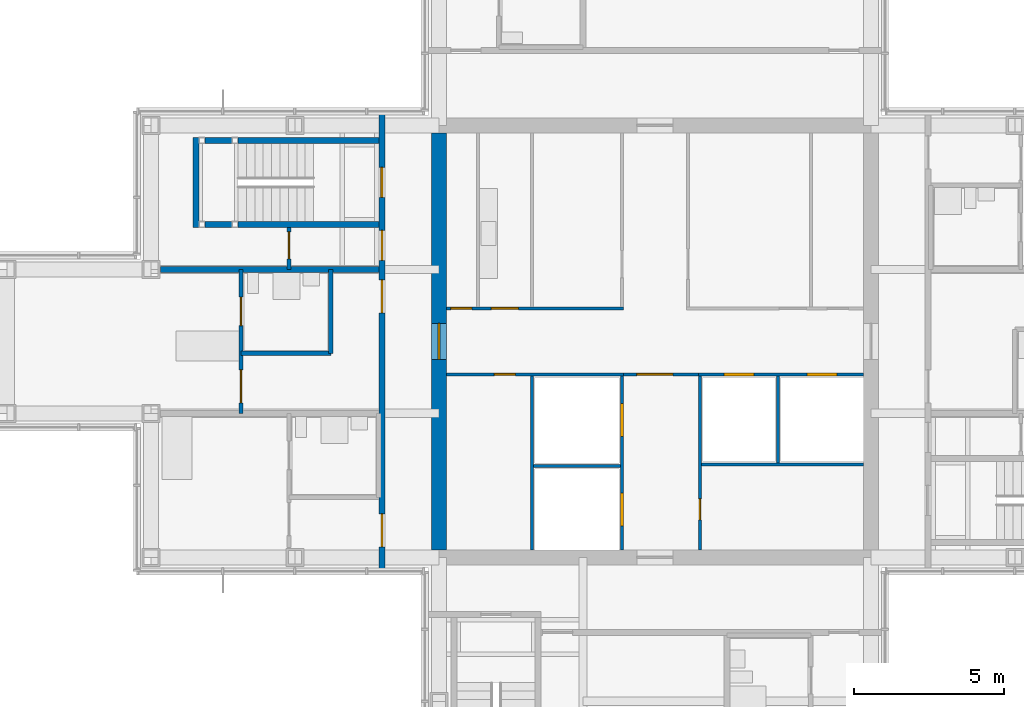
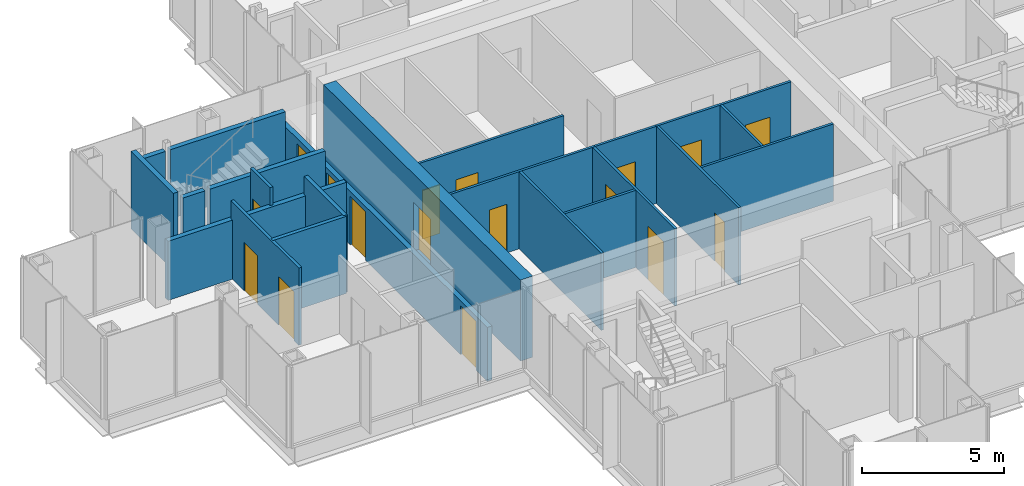
# One storey, part 12 of 17: 22 walls, 17 doors, 17 openings.
"""IFC4 building model written with IfcOpenShell, lengths in metres."""

from ifc_helpers import new_model, si_unit, direction, frame, frame_2d, origin, place, context, subcontext, project, spatial, rectangle, extrude, material, layer, layer_set, type_object, element, fill, save


model = new_model("IFC4")

# Units and contexts
model_context = context("Model", 3, precision=1e-05, world=origin(), true_north=direction((0.0, 1.0)))
body_context = subcontext(model_context, "Body", "Model", "MODEL_VIEW")
ifc_project = project(units=[si_unit("LENGTHUNIT", "METRE"), si_unit("AREAUNIT", "SQUARE_METRE"), si_unit("VOLUMEUNIT", "CUBIC_METRE"), si_unit("PLANEANGLEUNIT", "RADIAN"), si_unit("MASSUNIT", "GRAM", prefix="KILO")], contexts=[model_context])

# Site, building, storey
site_placement = place(None, origin())
site = spatial("IfcSite", under=ifc_project, at=site_placement, CompositionType="ELEMENT")
building_placement = place(site_placement, origin())
building = spatial("IfcBuilding", under=site, at=building_placement, Name="Kvirike Care Tower", CompositionType="ELEMENT")
storey_placement = place(building_placement, frame((0.0, 0.0, 165.5)))
storey = spatial("IfcBuildingStorey", under=building, at=storey_placement, Name="L45", CompositionType="ELEMENT", Elevation=165.5)

# Walls
ifc_material_1 = material(Name="Moisture-resistant board partition", Category="gypsum")
ifc_layer_1 = layer(ifc_material_1, 0.14990234375)
ifc_layer_set_1 = layer_set([ifc_layer_1], Name="BATHROOM WALL 150")
wall_type_1 = type_object("IfcWallType", Name="BATHROOM WALL 150", PredefinedType="PARTITIONING", material=ifc_layer_set_1)
wall_1_placement = place(storey_placement, frame((7.800048828125, 35.60009765625, 0.0), z_axis=(0.0, 0.0, 1.0), x_axis=(1.0, 0.0, 0.0)))
element("IfcWall", 1, at=wall_1_placement, inside=storey, type_object=wall_type_1, Name="Bathroom Wall 150 L45", PredefinedType="PARTITIONING", context=body_context, shape_type="SweptSolid", body=[
    extrude(rectangle(XDim=3.0, YDim=0.14990234375, at=frame_2d((1.5, 0.0))), origin(), (0.0, 0.0, 1.0), 3.330078125),
])
wall_2_placement = place(storey_placement, frame((10.800048828125, 38.39990234375, 0.0), z_axis=(0.0, 0.0, 1.0), x_axis=(0.0, -1.0, 0.0)))
element("IfcWall", 2, at=wall_2_placement, inside=storey, type_object=wall_type_1, Name="Bathroom Wall 150 L45", PredefinedType="PARTITIONING", context=body_context, shape_type="SweptSolid", body=[
    extrude(rectangle(XDim=2.7998046875, YDim=0.14990234375, at=frame_2d((1.39990234375, 0.0))), origin(), (0.0, 0.0, 1.0), 3.330078125),
])

# Wall, opening, door
ifc_material_2 = material(Name="Concrete C45/55", Category="concrete")
ifc_layer_2 = layer(ifc_material_2, 0.5)
ifc_layer_set_2 = layer_set([ifc_layer_2], Name="CORE WALL 500 C45-55")
wall_type_2 = type_object("IfcWallType", Name="CORE WALL 500 C45-55", PredefinedType="SHEAR", material=ifc_layer_set_2)
wall_3_placement = place(storey_placement, frame((14.39990234375, 42.949951171875, -0.169921875), z_axis=(0.0, 0.0, 1.0), x_axis=(0.0, -1.0, 0.0)))
wall_3 = element("IfcWall", 3, at=wall_3_placement, inside=storey, type_object=wall_type_2, Name="Core wall W L45", PredefinedType="SHEAR", context=body_context, shape_type="SweptSolid", body=[
    extrude(rectangle(XDim=13.89990234375, YDim=0.5, at=frame_2d((6.949951171875, 0.0))), origin(), (0.0, 0.0, 1.0), 3.5),
])
opening_1_placement = place(wall_3_placement, frame((6.35009765625, 0.0, 0.169921875)))
opening_1 = element("IfcOpeningElement", 4, at=opening_1_placement, cuts=wall_3, Name="Opening 45-046", PredefinedType="OPENING", context=body_context, shape_type="SweptSolid", body=[
    extrude(rectangle(XDim=1.199951171875, YDim=2.10009765625, at=frame_2d((0.60009765625, 1.050048828125))), frame((0.0, 0.260498046875, 0.0), z_axis=(0.0, -1.0, 0.0), x_axis=(1.0, 0.0, 0.0)), (0.0, 0.0, 1.0), 0.52099609375),
])
ifc_material_3 = material(Name="Timber door set", Category="wood")
door_type_1 = type_object("IfcDoorType", Name="CORE DOOR 1200", OperationType="SINGLE_SWING_LEFT", PredefinedType="DOOR", material=ifc_material_3)
door_1_placement = place(opening_1_placement, origin())
door_1 = element("IfcDoor", 5, at=door_1_placement, inside=storey, type_object=door_type_1, Name="Core door W L45", OperationType="SINGLE_SWING_LEFT", OverallHeight=2.10009765625, OverallWidth=1.199951171875, PredefinedType="DOOR", context=body_context, shape_type="SweptSolid", body=[
    extrude(rectangle(XDim=1.199951171875, YDim=2.10009765625, at=frame_2d((0.60009765625, 1.050048828125))), frame((0.0, 0.02685546875, 0.0), z_axis=(0.0, -1.0, 0.0), x_axis=(1.0, 0.0, 0.0)), (0.0, 0.0, 1.0), 0.053955078125),
])
fill(opening_1, door_1)

# Wall, openings, doors
ifc_material_4 = material(Name="Plasterboard corridor wall", Category="gypsum")
ifc_layer_3 = layer(ifc_material_4, 0.199951171875)
ifc_layer_set_3 = layer_set([ifc_layer_3], Name="CORRIDOR WALL 200")
wall_type_3 = type_object("IfcWallType", Name="CORRIDOR WALL 200", PredefinedType="PARTITIONING", material=ifc_layer_set_3)
wall_4_placement = place(storey_placement, frame((12.5, 43.64990234375, 0.0), z_axis=(0.0, 0.0, 1.0), x_axis=(0.0, -1.0, 0.0)))
wall_4 = element("IfcWall", 6, at=wall_4_placement, inside=storey, type_object=wall_type_3, Name="Corridor Wall 200 L45", PredefinedType="PARTITIONING", context=body_context, shape_type="SweptSolid", body=[
    extrude(rectangle(XDim=15.2998046875, YDim=0.199951171875, at=frame_2d((7.64990234375, 0.0))), origin(), (0.0, 0.0, 1.0), 2.320068359375),
])
opening_2_placement = place(wall_4_placement, frame((1.85009765625, 0.0, 0.0)))
opening_2 = element("IfcOpeningElement", 7, at=opening_2_placement, cuts=wall_4, Name="Opening 45-006", PredefinedType="OPENING", context=body_context, shape_type="SweptSolid", body=[
    extrude(rectangle(XDim=1.0, YDim=2.10009765625, at=frame_2d((0.5, 1.050048828125))), frame((0.0, 0.110595703125, 0.0), z_axis=(0.0, -1.0, 0.0), x_axis=(1.0, 0.0, 0.0)), (0.0, 0.0, 1.0), 0.220947265625),
])
opening_3_placement = place(wall_4_placement, frame((3.949951171875, 0.0, 0.0)))
opening_3 = element("IfcOpeningElement", 8, at=opening_3_placement, cuts=wall_4, Name="Opening 45-007", PredefinedType="OPENING", context=body_context, shape_type="SweptSolid", body=[
    extrude(rectangle(XDim=1.0, YDim=2.10009765625, at=frame_2d((0.5, 1.050048828125))), frame((0.0, 0.110595703125, 0.0), z_axis=(0.0, -1.0, 0.0), x_axis=(1.0, 0.0, 0.0)), (0.0, 0.0, 1.0), 0.220947265625),
])
opening_4_placement = place(wall_4_placement, frame((5.60009765625, 0.0, 0.0)))
opening_4 = element("IfcOpeningElement", 9, at=opening_4_placement, cuts=wall_4, Name="Opening 45-008", PredefinedType="OPENING", context=body_context, shape_type="SweptSolid", body=[
    extrude(rectangle(XDim=1.10009765625, YDim=2.10009765625, at=frame_2d((0.550048828125, 1.050048828125))), frame((0.0, 0.110595703125, 0.0), z_axis=(0.0, -1.0, 0.0), x_axis=(1.0, 0.0, 0.0)), (0.0, 0.0, 1.0), 0.220947265625),
])
opening_5_placement = place(wall_4_placement, frame((13.39990234375, 0.0, 0.0)))
opening_5 = element("IfcOpeningElement", 10, at=opening_5_placement, cuts=wall_4, Name="Opening 45-009", PredefinedType="OPENING", context=body_context, shape_type="SweptSolid", body=[
    extrude(rectangle(XDim=1.10009765625, YDim=2.10009765625, at=frame_2d((0.550048828125, 1.050048828125))), frame((0.0, 0.110595703125, 0.0), z_axis=(0.0, -1.0, 0.0), x_axis=(1.0, 0.0, 0.0)), (0.0, 0.0, 1.0), 0.220947265625),
])
ifc_material_5 = material(Name="Timber door set", Category="wood")
door_type_2 = type_object("IfcDoorType", Name="BEDROOM ENTRANCE DOOR 1100", OperationType="SINGLE_SWING_LEFT", PredefinedType="DOOR", material=ifc_material_5)
door_2_placement = place(opening_4_placement, frame((1.10009765625, 0.0, 0.0), z_axis=(0.0, 0.0, 1.0), x_axis=(-1.0, 0.0, 0.0)))
door_2 = element("IfcDoor", 11, at=door_2_placement, inside=storey, type_object=door_type_2, Name="Memory care bedroom entrance", OperationType="SINGLE_SWING_LEFT", OverallHeight=2.10009765625, OverallWidth=1.10009765625, PredefinedType="DOOR", context=body_context, shape_type="SweptSolid", body=[
    extrude(rectangle(XDim=1.10009765625, YDim=2.10009765625, at=frame_2d((0.550048828125, 1.050048828125))), frame((0.0, 0.02685546875, 0.0), z_axis=(0.0, -1.0, 0.0), x_axis=(1.0, 0.0, 0.0)), (0.0, 0.0, 1.0), 0.053955078125),
])
fill(opening_4, door_2)
door_3_placement = place(opening_5_placement, frame((1.10009765625, 0.0, 0.0), z_axis=(0.0, 0.0, 1.0), x_axis=(-1.0, 0.0, 0.0)))
door_3 = element("IfcDoor", 12, at=door_3_placement, inside=storey, type_object=door_type_2, Name="Memory care bedroom entrance", OperationType="SINGLE_SWING_RIGHT", OverallHeight=2.10009765625, OverallWidth=1.10009765625, PredefinedType="DOOR", context=body_context, shape_type="SweptSolid", body=[
    extrude(rectangle(XDim=1.10009765625, YDim=2.10009765625, at=frame_2d((0.550048828125, 1.050048828125))), frame((0.0, 0.02685546875, 0.0), z_axis=(0.0, -1.0, 0.0), x_axis=(1.0, 0.0, 0.0)), (0.0, 0.0, 1.0), 0.053955078125),
])
fill(opening_5, door_3)
ifc_material_6 = material(Name="Timber door set", Category="wood")
door_type_3 = type_object("IfcDoorType", Name="FLAT ENTRANCE DOOR 1000", OperationType="SINGLE_SWING_LEFT", PredefinedType="DOOR", material=ifc_material_6)
door_4_placement = place(opening_3_placement, frame((1.0, 0.0, 0.0), z_axis=(0.0, 0.0, 1.0), x_axis=(-1.0, 0.0, 0.0)))
door_4 = element("IfcDoor", 13, at=door_4_placement, inside=storey, type_object=door_type_3, Name="Activity room entrance", OperationType="SINGLE_SWING_LEFT", OverallHeight=2.10009765625, OverallWidth=1.0, PredefinedType="DOOR", context=body_context, shape_type="SweptSolid", body=[
    extrude(rectangle(XDim=1.0, YDim=2.10009765625, at=frame_2d((0.5, 1.050048828125))), frame((0.0, 0.02685546875, 0.0), z_axis=(0.0, -1.0, 0.0), x_axis=(1.0, 0.0, 0.0)), (0.0, 0.0, 1.0), 0.053955078125),
])
fill(opening_3, door_4)
ifc_material_7 = material(Name="Timber door set", Category="wood")
door_type_4 = type_object("IfcDoorType", Name="STAIR DOOR 1000", OperationType="SINGLE_SWING_LEFT", PredefinedType="DOOR", material=ifc_material_7)
door_5_placement = place(opening_2_placement, frame((1.0, 0.0, 0.0), z_axis=(0.0, 0.0, 1.0), x_axis=(-1.0, 0.0, 0.0)))
door_5 = element("IfcDoor", 14, at=door_5_placement, inside=storey, type_object=door_type_4, Name="Stair 1 door", OperationType="SINGLE_SWING_RIGHT", OverallHeight=2.10009765625, OverallWidth=1.0, PredefinedType="DOOR", context=body_context, shape_type="SweptSolid", body=[
    extrude(rectangle(XDim=1.0, YDim=2.10009765625, at=frame_2d((0.5, 1.050048828125))), frame((0.0, 0.031982421875, 0.0), z_axis=(0.0, -1.0, 0.0), x_axis=(1.0, 0.0, 0.0)), (0.0, 0.0, 1.0), 0.06396484375),
])
fill(opening_2, door_5)

# Wall, opening, door
ifc_material_8 = material(Name="Plasterboard partition", Category="gypsum")
ifc_layer_4 = layer(ifc_material_8, 0.1201171875)
ifc_layer_set_4 = layer_set([ifc_layer_4], Name="PARTITION 120")
wall_type_4 = type_object("IfcWallType", Name="PARTITION 120", PredefinedType="PARTITIONING", material=ifc_layer_set_4)
wall_5_placement = place(storey_placement, frame((9.39990234375, 39.800048828125, 0.0), z_axis=(0.0, 0.0, 1.0), x_axis=(0.0, -1.0, 0.0)))
wall_5 = element("IfcWall", 15, at=wall_5_placement, inside=storey, type_object=wall_type_4, Name="Partition 120 L45", PredefinedType="PARTITIONING", context=body_context, shape_type="SweptSolid", body=[
    extrude(rectangle(XDim=1.400146484375, YDim=0.1201171875, at=frame_2d((0.7001953125, 0.0))), origin(), (0.0, 0.0, 1.0), 3.330078125),
])
opening_6_placement = place(wall_5_placement, frame((0.14990234375, 0.0, 0.0)))
opening_6 = element("IfcOpeningElement", 16, at=opening_6_placement, cuts=wall_5, Name="Opening 45-001", PredefinedType="OPENING", context=body_context, shape_type="SweptSolid", body=[
    extrude(rectangle(XDim=0.89990234375, YDim=2.10009765625, at=frame_2d((0.449951171875, 1.050048828125))), frame((0.0, 0.070556640625, 0.0), z_axis=(0.0, -1.0, 0.0), x_axis=(1.0, 0.0, 0.0)), (0.0, 0.0, 1.0), 0.14111328125),
])
ifc_material_9 = material(Name="Timber door set", Category="wood")
door_type_5 = type_object("IfcDoorType", Name="INTERNAL DOOR 900", OperationType="SINGLE_SWING_LEFT", PredefinedType="DOOR", material=ifc_material_9)
door_6_placement = place(opening_6_placement, origin())
door_6 = element("IfcDoor", 17, at=door_6_placement, inside=storey, type_object=door_type_5, Name="Activity room door", OperationType="SINGLE_SWING_RIGHT", OverallHeight=2.10009765625, OverallWidth=0.89990234375, PredefinedType="DOOR", context=body_context, shape_type="SweptSolid", body=[
    extrude(rectangle(XDim=0.89990234375, YDim=2.10009765625, at=frame_2d((0.449951171875, 1.050048828125))), frame((0.0, 0.02197265625, 0.0), z_axis=(0.0, -1.0, 0.0), x_axis=(1.0, 0.0, 0.0)), (0.0, 0.0, 1.0), 0.0439453125),
])
fill(opening_6, door_6)

# Wall, openings, doors
wall_6_placement = place(storey_placement, frame((7.800048828125, 38.39990234375, 0.0), z_axis=(0.0, 0.0, 1.0), x_axis=(0.0, -1.0, 0.0)))
wall_6 = element("IfcWall", 18, at=wall_6_placement, inside=storey, type_object=wall_type_4, Name="Partition 120 L45", PredefinedType="PARTITIONING", context=body_context, shape_type="SweptSolid", body=[
    extrude(rectangle(XDim=4.7998046875, YDim=0.1201171875, at=frame_2d((2.39990234375, 0.0))), origin(), (0.0, 0.0, 1.0), 3.330078125),
])
opening_7_placement = place(wall_6_placement, frame((3.35009765625, 0.0, 0.0)))
opening_7 = element("IfcOpeningElement", 19, at=opening_7_placement, cuts=wall_6, Name="Opening 45-002", PredefinedType="OPENING", context=body_context, shape_type="SweptSolid", body=[
    extrude(rectangle(XDim=1.10009765625, YDim=2.10009765625, at=frame_2d((0.550048828125, 1.050048828125))), frame((0.0, 0.070556640625, 0.0), z_axis=(0.0, -1.0, 0.0), x_axis=(1.0, 0.0, 0.0)), (0.0, 0.0, 1.0), 0.14111328125),
])
opening_8_placement = place(wall_6_placement, frame((0.925048828125, 0.0, 0.0)))
opening_8 = element("IfcOpeningElement", 20, at=opening_8_placement, cuts=wall_6, Name="Opening 45-003", PredefinedType="OPENING", context=body_context, shape_type="SweptSolid", body=[
    extrude(rectangle(XDim=0.949951171875, YDim=2.10009765625, at=frame_2d((0.47509765625, 1.050048828125))), frame((0.0, 0.070556640625, 0.0), z_axis=(0.0, -1.0, 0.0), x_axis=(1.0, 0.0, 0.0)), (0.0, 0.0, 1.0), 0.14111328125),
])
ifc_material_10 = material(Name="Timber door set", Category="wood")
door_type_6 = type_object("IfcDoorType", Name="BEDROOM DOOR 1100", OperationType="SINGLE_SWING_LEFT", PredefinedType="DOOR", material=ifc_material_10)
door_7_placement = place(opening_7_placement, origin())
door_7 = element("IfcDoor", 21, at=door_7_placement, inside=storey, type_object=door_type_6, Name="Memory care bedroom door", OperationType="SINGLE_SWING_LEFT", OverallHeight=2.10009765625, OverallWidth=1.10009765625, PredefinedType="DOOR", context=body_context, shape_type="SweptSolid", body=[
    extrude(rectangle(XDim=1.10009765625, YDim=2.10009765625, at=frame_2d((0.550048828125, 1.050048828125))), frame((0.0, 0.02197265625, 0.0), z_axis=(0.0, -1.0, 0.0), x_axis=(1.0, 0.0, 0.0)), (0.0, 0.0, 1.0), 0.0439453125),
])
fill(opening_7, door_7)
ifc_material_11 = material(Name="Timber door set", Category="wood")
door_type_7 = type_object("IfcDoorType", Name="EN-SUITE SLIDING DOOR 950", OperationType="SLIDING_TO_LEFT", PredefinedType="DOOR", material=ifc_material_11)
door_8_placement = place(opening_8_placement, origin())
door_8 = element("IfcDoor", 22, at=door_8_placement, inside=storey, type_object=door_type_7, Name="En-suite door", OperationType="SLIDING_TO_RIGHT", OverallHeight=2.10009765625, OverallWidth=0.949951171875, PredefinedType="DOOR", context=body_context, shape_type="SweptSolid", body=[
    extrude(rectangle(XDim=0.949951171875, YDim=2.10009765625, at=frame_2d((0.47509765625, 1.050048828125))), frame((0.0, 0.02197265625, 0.0), z_axis=(0.0, -1.0, 0.0), x_axis=(1.0, 0.0, 0.0)), (0.0, 0.0, 1.0), 0.0439453125),
])
fill(opening_8, door_8)

# Wall
ifc_material_12 = material(Name="Plasterboard party wall", Category="gypsum")
ifc_layer_5 = layer(ifc_material_12, 0.199951171875)
ifc_layer_set_5 = layer_set([ifc_layer_5], Name="PARTY WALL 200")
wall_type_5 = type_object("IfcWallType", Name="PARTY WALL 200", PredefinedType="PARTITIONING", material=ifc_layer_set_5)
wall_7_placement = place(storey_placement, frame((5.1201171875, 38.39990234375, 0.0), z_axis=(0.0, 0.0, 1.0), x_axis=(1.0, 0.0, 0.0)))
element("IfcWall", 23, at=wall_7_placement, inside=storey, type_object=wall_type_5, Name="Party Wall 200 L45", PredefinedType="PARTITIONING", context=body_context, shape_type="SweptSolid", body=[
    extrude(rectangle(XDim=7.27978515625, YDim=0.199951171875, at=frame_2d((3.639892578125, 0.0))), origin(), (0.0, 0.0, 1.0), 2.550048828125),
])

# Wall, openings, doors
ifc_material_13 = material(Name="Gypsum shaft wall system", Category="gypsum")
ifc_layer_6 = layer(ifc_material_13, 0.10009765625)
ifc_layer_set_6 = layer_set([ifc_layer_6], Name="SHAFT WALL 100")
wall_type_6 = type_object("IfcWallType", Name="SHAFT WALL 100", PredefinedType="SOLIDWALL", material=ifc_layer_set_6)
wall_8_placement = place(storey_placement, frame((20.5, 29.050048828125, 0.0), z_axis=(0.0, 0.0, 1.0), x_axis=(0.0, 1.0, 0.0)))
wall_8 = element("IfcWall", 24, at=wall_8_placement, inside=storey, type_object=wall_type_6, Name="Shaft Wall 100 L45", PredefinedType="SOLIDWALL", context=body_context, shape_type="SweptSolid", body=[
    extrude(rectangle(XDim=5.800048828125, YDim=0.10009765625, at=frame_2d((2.89990234375, 0.0))), origin(), (0.0, 0.0, 1.0), 3.330078125),
])
opening_9_placement = place(wall_8_placement, frame((0.800048828125, 0.0, 0.0)))
opening_9 = element("IfcOpeningElement", 25, at=opening_9_placement, cuts=wall_8, Name="Opening 45-032", PredefinedType="OPENING", context=body_context, shape_type="SweptSolid", body=[
    extrude(rectangle(XDim=1.10009765625, YDim=2.300048828125, at=frame_2d((0.550048828125, 1.14990234375))), frame((0.0, 0.060546875, 0.0), z_axis=(0.0, -1.0, 0.0), x_axis=(1.0, 0.0, 0.0)), (0.0, 0.0, 1.0), 0.12109375),
])
opening_10_placement = place(wall_8_placement, frame((3.77490234375, 0.0, 0.0)))
opening_10 = element("IfcOpeningElement", 26, at=opening_10_placement, cuts=wall_8, Name="Opening 45-033", PredefinedType="OPENING", context=body_context, shape_type="SweptSolid", body=[
    extrude(rectangle(XDim=1.10009765625, YDim=2.300048828125, at=frame_2d((0.550048828125, 1.14990234375))), frame((0.0, 0.060546875, 0.0), z_axis=(0.0, -1.0, 0.0), x_axis=(1.0, 0.0, 0.0)), (0.0, 0.0, 1.0), 0.12109375),
])
ifc_material_14 = material(Name="Aluminium door frame", Category="aluminium")
door_type_8 = type_object("IfcDoorType", Name="FIRE-FIGHTING LIFT LANDING DOOR 1100", OperationType="SLIDING_TO_LEFT", PredefinedType="DOOR", material=ifc_material_14)
door_9_placement = place(opening_9_placement, origin())
door_9 = element("IfcDoor", 27, at=door_9_placement, inside=storey, type_object=door_type_8, Name="Lift FF1 landing door", OperationType="SLIDING_TO_LEFT", OverallHeight=2.300048828125, OverallWidth=1.10009765625, PredefinedType="DOOR", context=body_context, shape_type="SweptSolid", body=[
    extrude(rectangle(XDim=1.10009765625, YDim=2.300048828125, at=frame_2d((0.550048828125, 1.14990234375))), frame((0.0, 0.0498046875, 0.0), z_axis=(0.0, -1.0, 0.0), x_axis=(1.0, 0.0, 0.0)), (0.0, 0.0, 1.0), 0.099609375),
])
fill(opening_9, door_9)
door_10_placement = place(opening_10_placement, origin())
door_10 = element("IfcDoor", 28, at=door_10_placement, inside=storey, type_object=door_type_8, Name="Lift FF2 landing door", OperationType="SLIDING_TO_LEFT", OverallHeight=2.300048828125, OverallWidth=1.10009765625, PredefinedType="DOOR", context=body_context, shape_type="SweptSolid", body=[
    extrude(rectangle(XDim=1.10009765625, YDim=2.300048828125, at=frame_2d((0.550048828125, 1.14990234375))), frame((0.0, 0.0498046875, 0.0), z_axis=(0.0, -1.0, 0.0), x_axis=(1.0, 0.0, 0.0)), (0.0, 0.0, 1.0), 0.099609375),
])
fill(opening_10, door_10)

# Wall, opening, door
wall_9_placement = place(storey_placement, frame((23.10009765625, 29.050048828125, 0.0), z_axis=(0.0, 0.0, 1.0), x_axis=(0.0, 1.0, 0.0)))
wall_9 = element("IfcWall", 29, at=wall_9_placement, inside=storey, type_object=wall_type_6, Name="Shaft Wall 100 L45", PredefinedType="SOLIDWALL", context=body_context, shape_type="SweptSolid", body=[
    extrude(rectangle(XDim=5.800048828125, YDim=0.10009765625, at=frame_2d((2.89990234375, 0.0))), origin(), (0.0, 0.0, 1.0), 3.330078125),
])
opening_11_placement = place(wall_9_placement, frame((1.0, 0.0, 0.0)))
opening_11 = element("IfcOpeningElement", 30, at=opening_11_placement, cuts=wall_9, Name="Opening 45-036", PredefinedType="OPENING", context=body_context, shape_type="SweptSolid", body=[
    extrude(rectangle(XDim=0.699951171875, YDim=2.10009765625, at=frame_2d((0.35009765625, 1.050048828125))), frame((0.0, 0.060546875, 0.0), z_axis=(0.0, -1.0, 0.0), x_axis=(1.0, 0.0, 0.0)), (0.0, 0.0, 1.0), 0.12109375),
])
ifc_material_15 = material(Name="Timber door set", Category="wood")
door_type_9 = type_object("IfcDoorType", Name="RISER DOOR 700", OperationType="SINGLE_SWING_LEFT", PredefinedType="DOOR", material=ifc_material_15)
door_11_placement = place(opening_11_placement, origin())
door_11 = element("IfcDoor", 31, at=door_11_placement, inside=storey, type_object=door_type_9, Name="Riser door", OperationType="SINGLE_SWING_RIGHT", OverallHeight=2.10009765625, OverallWidth=0.699951171875, PredefinedType="DOOR", context=body_context, shape_type="SweptSolid", body=[
    extrude(rectangle(XDim=0.699951171875, YDim=2.10009765625, at=frame_2d((0.35009765625, 1.050048828125))), frame((0.0, 0.02685546875, 0.0), z_axis=(0.0, -1.0, 0.0), x_axis=(1.0, 0.0, 0.0)), (0.0, 0.0, 1.0), 0.053955078125),
])
fill(opening_11, door_11)

wall_10_placement = place(storey_placement, frame((14.64990234375, 34.89990234375, 0.0), z_axis=(0.0, 0.0, 1.0), x_axis=(1.0, 0.0, 0.0)))
wall_10 = element("IfcWall", 32, at=wall_10_placement, inside=storey, type_object=wall_type_6, Name="Shaft Wall 100 L45", PredefinedType="SOLIDWALL", context=body_context, shape_type="SweptSolid", body=[
    extrude(rectangle(XDim=5.900146484375, YDim=0.10009765625, at=frame_2d((2.9501953125, 0.0))), origin(), (0.0, 0.0, 1.0), 3.330078125),
])
opening_12_placement = place(wall_10_placement, frame((1.60009765625, 0.0, 0.0)))
opening_12 = element("IfcOpeningElement", 33, at=opening_12_placement, cuts=wall_10, Name="Opening 45-037", PredefinedType="OPENING", context=body_context, shape_type="SweptSolid", body=[
    extrude(rectangle(XDim=0.699951171875, YDim=2.10009765625, at=frame_2d((0.35009765625, 1.050048828125))), frame((0.0, 0.060546875, 0.0), z_axis=(0.0, -1.0, 0.0), x_axis=(1.0, 0.0, 0.0)), (0.0, 0.0, 1.0), 0.12109375),
])
door_12_placement = place(opening_12_placement, frame((0.699951171875, 0.0, 0.0), z_axis=(0.0, 0.0, 1.0), x_axis=(-1.0, 0.0, 0.0)))
door_12 = element("IfcDoor", 34, at=door_12_placement, inside=storey, type_object=door_type_9, Name="Riser door", OperationType="SINGLE_SWING_RIGHT", OverallHeight=2.10009765625, OverallWidth=0.699951171875, PredefinedType="DOOR", context=body_context, shape_type="SweptSolid", body=[
    extrude(rectangle(XDim=0.699951171875, YDim=2.10009765625, at=frame_2d((0.35009765625, 1.050048828125))), frame((0.0, 0.02685546875, 0.0), z_axis=(0.0, -1.0, 0.0), x_axis=(1.0, 0.0, 0.0)), (0.0, 0.0, 1.0), 0.053955078125),
])
fill(opening_12, door_12)

# Wall, openings, doors
wall_11_placement = place(storey_placement, frame((23.050048828125, 34.89990234375, 0.0), z_axis=(0.0, 0.0, 1.0), x_axis=(1.0, 0.0, 0.0)))
wall_11 = element("IfcWall", 35, at=wall_11_placement, inside=storey, type_object=wall_type_6, Name="Shaft Wall 100 L45", PredefinedType="SOLIDWALL", context=body_context, shape_type="SweptSolid", body=[
    extrude(rectangle(XDim=5.5, YDim=0.10009765625, at=frame_2d((2.75, 0.0))), origin(), (0.0, 0.0, 1.0), 3.330078125),
])
opening_13_placement = place(wall_11_placement, frame((0.85009765625, 0.0, 0.0)))
opening_13 = element("IfcOpeningElement", 36, at=opening_13_placement, cuts=wall_11, Name="Opening 45-038", PredefinedType="OPENING", context=body_context, shape_type="SweptSolid", body=[
    extrude(rectangle(XDim=1.0, YDim=2.10009765625, at=frame_2d((0.5, 1.050048828125))), frame((0.0, 0.060546875, 0.0), z_axis=(0.0, -1.0, 0.0), x_axis=(1.0, 0.0, 0.0)), (0.0, 0.0, 1.0), 0.12109375),
])
opening_14_placement = place(wall_11_placement, frame((3.625, 0.0, 0.0)))
opening_14 = element("IfcOpeningElement", 37, at=opening_14_placement, cuts=wall_11, Name="Opening 45-039", PredefinedType="OPENING", context=body_context, shape_type="SweptSolid", body=[
    extrude(rectangle(XDim=1.0, YDim=2.10009765625, at=frame_2d((0.5, 1.050048828125))), frame((0.0, 0.060546875, 0.0), z_axis=(0.0, -1.0, 0.0), x_axis=(1.0, 0.0, 0.0)), (0.0, 0.0, 1.0), 0.12109375),
])
ifc_material_16 = material(Name="Aluminium door frame", Category="aluminium")
door_type_10 = type_object("IfcDoorType", Name="LIFT LANDING DOOR 1000", OperationType="SLIDING_TO_LEFT", PredefinedType="DOOR", material=ifc_material_16)
door_13_placement = place(opening_13_placement, origin())
door_13 = element("IfcDoor", 38, at=door_13_placement, inside=storey, type_object=door_type_10, Name="Lift P5 landing door", OperationType="SLIDING_TO_LEFT", OverallHeight=2.10009765625, OverallWidth=1.0, PredefinedType="DOOR", context=body_context, shape_type="SweptSolid", body=[
    extrude(rectangle(XDim=1.0, YDim=2.10009765625, at=frame_2d((0.5, 1.050048828125))), frame((0.0, 0.0498046875, 0.0), z_axis=(0.0, -1.0, 0.0), x_axis=(1.0, 0.0, 0.0)), (0.0, 0.0, 1.0), 0.099609375),
])
fill(opening_13, door_13)
door_14_placement = place(opening_14_placement, origin())
door_14 = element("IfcDoor", 39, at=door_14_placement, inside=storey, type_object=door_type_10, Name="Lift P6 landing door", OperationType="SLIDING_TO_LEFT", OverallHeight=2.10009765625, OverallWidth=1.0, PredefinedType="DOOR", context=body_context, shape_type="SweptSolid", body=[
    extrude(rectangle(XDim=1.0, YDim=2.10009765625, at=frame_2d((0.5, 1.050048828125))), frame((0.0, 0.0498046875, 0.0), z_axis=(0.0, -1.0, 0.0), x_axis=(1.0, 0.0, 0.0)), (0.0, 0.0, 1.0), 0.099609375),
])
fill(opening_14, door_14)

wall_12_placement = place(storey_placement, frame((14.64990234375, 37.10009765625, 0.0), z_axis=(0.0, 0.0, 1.0), x_axis=(1.0, 0.0, 0.0)))
wall_12 = element("IfcWall", 40, at=wall_12_placement, inside=storey, type_object=wall_type_6, Name="Shaft Wall 100 L45", PredefinedType="SOLIDWALL", context=body_context, shape_type="SweptSolid", body=[
    extrude(rectangle(XDim=5.900146484375, YDim=0.10009765625, at=frame_2d((2.9501953125, 0.0))), origin(), (0.0, 0.0, 1.0), 3.330078125),
])
opening_15_placement = place(wall_12_placement, frame((0.14990234375, 0.0, 0.0)))
opening_15 = element("IfcOpeningElement", 41, at=opening_15_placement, cuts=wall_12, Name="Opening 45-040", PredefinedType="OPENING", context=body_context, shape_type="SweptSolid", body=[
    extrude(rectangle(XDim=0.699951171875, YDim=2.10009765625, at=frame_2d((0.35009765625, 1.050048828125))), frame((0.0, 0.060546875, 0.0), z_axis=(0.0, -1.0, 0.0), x_axis=(1.0, 0.0, 0.0)), (0.0, 0.0, 1.0), 0.12109375),
])
opening_16_placement = place(wall_12_placement, frame((1.5, 0.0, 0.0)))
opening_16 = element("IfcOpeningElement", 42, at=opening_16_placement, cuts=wall_12, Name="Opening 45-041", PredefinedType="OPENING", context=body_context, shape_type="SweptSolid", body=[
    extrude(rectangle(XDim=0.89990234375, YDim=2.10009765625, at=frame_2d((0.449951171875, 1.050048828125))), frame((0.0, 0.060546875, 0.0), z_axis=(0.0, -1.0, 0.0), x_axis=(1.0, 0.0, 0.0)), (0.0, 0.0, 1.0), 0.12109375),
])
door_15_placement = place(opening_15_placement, origin())
door_15 = element("IfcDoor", 43, at=door_15_placement, inside=storey, type_object=door_type_9, Name="Riser door", OperationType="SINGLE_SWING_LEFT", OverallHeight=2.10009765625, OverallWidth=0.699951171875, PredefinedType="DOOR", context=body_context, shape_type="SweptSolid", body=[
    extrude(rectangle(XDim=0.699951171875, YDim=2.10009765625, at=frame_2d((0.35009765625, 1.050048828125))), frame((0.0, 0.02685546875, 0.0), z_axis=(0.0, -1.0, 0.0), x_axis=(1.0, 0.0, 0.0)), (0.0, 0.0, 1.0), 0.053955078125),
])
fill(opening_15, door_15)
ifc_material_17 = material(Name="Timber door set", Category="wood")
door_type_11 = type_object("IfcDoorType", Name="STORE DOOR 900", OperationType="SINGLE_SWING_LEFT", PredefinedType="DOOR", material=ifc_material_17)
door_16_placement = place(opening_16_placement, origin())
door_16 = element("IfcDoor", 44, at=door_16_placement, inside=storey, type_object=door_type_11, Name="Resident pantry door", OperationType="SINGLE_SWING_LEFT", OverallHeight=2.10009765625, OverallWidth=0.89990234375, PredefinedType="DOOR", context=body_context, shape_type="SweptSolid", body=[
    extrude(rectangle(XDim=0.89990234375, YDim=2.10009765625, at=frame_2d((0.449951171875, 1.050048828125))), frame((0.0, 0.02685546875, 0.0), z_axis=(0.0, -1.0, 0.0), x_axis=(1.0, 0.0, 0.0)), (0.0, 0.0, 1.0), 0.053955078125),
])
fill(opening_16, door_16)

# Wall, opening, door
wall_13_placement = place(storey_placement, frame((20.550048828125, 34.89990234375, 0.0), z_axis=(0.0, 0.0, 1.0), x_axis=(1.0, 0.0, 0.0)))
wall_13 = element("IfcWall", 45, at=wall_13_placement, inside=storey, type_object=wall_type_6, Name="Shaft Wall 100 L45", PredefinedType="SOLIDWALL", context=body_context, shape_type="SweptSolid", body=[
    extrude(rectangle(XDim=2.5, YDim=0.10009765625, at=frame_2d((1.25, 0.0))), origin(), (0.0, 0.0, 1.0), 3.330078125),
])
opening_17_placement = place(wall_13_placement, frame((0.449951171875, 0.0, 0.0)))
opening_17 = element("IfcOpeningElement", 46, at=opening_17_placement, cuts=wall_13, Name="Opening 45-044", PredefinedType="OPENING", context=body_context, shape_type="SweptSolid", body=[
    extrude(rectangle(XDim=1.199951171875, YDim=2.10009765625, at=frame_2d((0.60009765625, 1.050048828125))), frame((0.0, 0.060546875, 0.0), z_axis=(0.0, -1.0, 0.0), x_axis=(1.0, 0.0, 0.0)), (0.0, 0.0, 1.0), 0.12109375),
])
door_17_placement = place(opening_17_placement, frame((1.199951171875, 0.0, 0.0), z_axis=(0.0, 0.0, 1.0), x_axis=(-1.0, 0.0, 0.0)))
door_17 = element("IfcDoor", 47, at=door_17_placement, inside=storey, type_object=door_type_1, Name="Fire-fighting lobby door", OperationType="SINGLE_SWING_LEFT", OverallHeight=2.10009765625, OverallWidth=1.199951171875, PredefinedType="DOOR", context=body_context, shape_type="SweptSolid", body=[
    extrude(rectangle(XDim=1.199951171875, YDim=2.10009765625, at=frame_2d((0.60009765625, 1.050048828125))), frame((0.0, 0.02685546875, 0.0), z_axis=(0.0, -1.0, 0.0), x_axis=(1.0, 0.0, 0.0)), (0.0, 0.0, 1.0), 0.053955078125),
])
fill(opening_17, door_17)

# Walls
wall_14_placement = place(storey_placement, frame((17.5, 29.050048828125, 0.0), z_axis=(0.0, 0.0, 1.0), x_axis=(0.0, 1.0, 0.0)))
element("IfcWall", 48, at=wall_14_placement, inside=storey, type_object=wall_type_6, Name="Shaft Wall 100 L45", PredefinedType="SOLIDWALL", context=body_context, shape_type="SweptSolid", body=[
    extrude(rectangle(XDim=5.800048828125, YDim=0.10009765625, at=frame_2d((2.89990234375, 0.0))), origin(), (0.0, 0.0, 1.0), 3.330078125),
])
wall_15_placement = place(storey_placement, frame((17.550048828125, 31.85009765625, 0.0), z_axis=(0.0, 0.0, 1.0), x_axis=(1.0, 0.0, 0.0)))
element("IfcWall", 49, at=wall_15_placement, inside=storey, type_object=wall_type_6, Name="Shaft Wall 100 L45", PredefinedType="SOLIDWALL", context=body_context, shape_type="SweptSolid", body=[
    extrude(rectangle(XDim=2.89990234375, YDim=0.10009765625, at=frame_2d((1.449951171875, 0.0))), origin(), (0.0, 0.0, 1.0), 3.330078125),
])
wall_16_placement = place(storey_placement, frame((25.699951171875, 31.949951171875, 0.0), z_axis=(0.0, 0.0, 1.0), x_axis=(0.0, 1.0, 0.0)))
element("IfcWall", 50, at=wall_16_placement, inside=storey, type_object=wall_type_6, Name="Shaft Wall 100 L45", PredefinedType="SOLIDWALL", context=body_context, shape_type="SweptSolid", body=[
    extrude(rectangle(XDim=2.900146484375, YDim=0.10009765625, at=frame_2d((1.4501953125, 0.0))), origin(), (0.0, 0.0, 1.0), 3.330078125),
])
wall_17_placement = place(storey_placement, frame((23.14990234375, 31.89990234375, 0.0), z_axis=(0.0, 0.0, 1.0), x_axis=(1.0, 0.0, 0.0)))
element("IfcWall", 51, at=wall_17_placement, inside=storey, type_object=wall_type_6, Name="Shaft Wall 100 L45", PredefinedType="SOLIDWALL", context=body_context, shape_type="SweptSolid", body=[
    extrude(rectangle(XDim=5.400146484375, YDim=0.10009765625, at=frame_2d((2.7001953125, 0.0))), origin(), (0.0, 0.0, 1.0), 3.330078125),
])
ifc_material_18 = material(Name="Concrete C40/50", Category="concrete")
ifc_layer_7 = layer(ifc_material_18, 0.199951171875)
ifc_layer_set_7 = layer_set([ifc_layer_7], Name="STAIR WALL 200")
wall_type_7 = type_object("IfcWallType", Name="STAIR WALL 200", PredefinedType="SOLIDWALL", material=ifc_layer_set_7)
wall_18_placement = place(storey_placement, frame((6.60009765625, 42.699951171875, 0.0), z_axis=(0.0, 0.0, 1.0), x_axis=(1.0, 0.0, 0.0)))
element("IfcWall", 52, at=wall_18_placement, inside=storey, type_object=wall_type_7, Name="Stair Wall 200 L45", PredefinedType="SOLIDWALL", context=body_context, shape_type="SweptSolid", body=[
    extrude(rectangle(XDim=0.89990234375, YDim=0.199951171875, at=frame_2d((0.449951171875, 0.0))), origin(), (0.0, 0.0, 1.0), 2.989990234375),
])
wall_19_placement = place(storey_placement, frame((7.699951171875, 42.699951171875, 0.0), z_axis=(0.0, 0.0, 1.0), x_axis=(1.0, 0.0, 0.0)))
element("IfcWall", 53, at=wall_19_placement, inside=storey, type_object=wall_type_7, Name="Stair Wall 200 L45", PredefinedType="SOLIDWALL", context=body_context, shape_type="SweptSolid", body=[
    extrude(rectangle(XDim=4.699951171875, YDim=0.199951171875, at=frame_2d((2.35009765625, 0.0))), origin(), (0.0, 0.0, 1.0), 2.989990234375),
])
wall_20_placement = place(storey_placement, frame((6.60009765625, 39.89990234375, 0.0), z_axis=(0.0, 0.0, 1.0), x_axis=(1.0, 0.0, 0.0)))
element("IfcWall", 54, at=wall_20_placement, inside=storey, type_object=wall_type_7, Name="Stair Wall 200 L45", PredefinedType="SOLIDWALL", context=body_context, shape_type="SweptSolid", body=[
    extrude(rectangle(XDim=0.89990234375, YDim=0.199951171875, at=frame_2d((0.449951171875, 0.0))), origin(), (0.0, 0.0, 1.0), 2.989990234375),
])
wall_21_placement = place(storey_placement, frame((7.699951171875, 39.89990234375, 0.0), z_axis=(0.0, 0.0, 1.0), x_axis=(1.0, 0.0, 0.0)))
element("IfcWall", 55, at=wall_21_placement, inside=storey, type_object=wall_type_7, Name="Stair Wall 200 L45", PredefinedType="SOLIDWALL", context=body_context, shape_type="SweptSolid", body=[
    extrude(rectangle(XDim=4.699951171875, YDim=0.199951171875, at=frame_2d((2.35009765625, 0.0))), origin(), (0.0, 0.0, 1.0), 2.989990234375),
])
wall_22_placement = place(storey_placement, frame((6.300048828125, 42.800048828125, 0.0), z_axis=(0.0, 0.0, 1.0), x_axis=(0.0, -1.0, 0.0)))
element("IfcWall", 56, at=wall_22_placement, inside=storey, type_object=wall_type_7, Name="Stair Wall 200 L45", PredefinedType="SOLIDWALL", context=body_context, shape_type="SweptSolid", body=[
    extrude(rectangle(XDim=3.0, YDim=0.199951171875, at=frame_2d((1.5, 0.0))), origin(), (0.0, 0.0, 1.0), 3.330078125),
])

save(model, "model.ifc")
